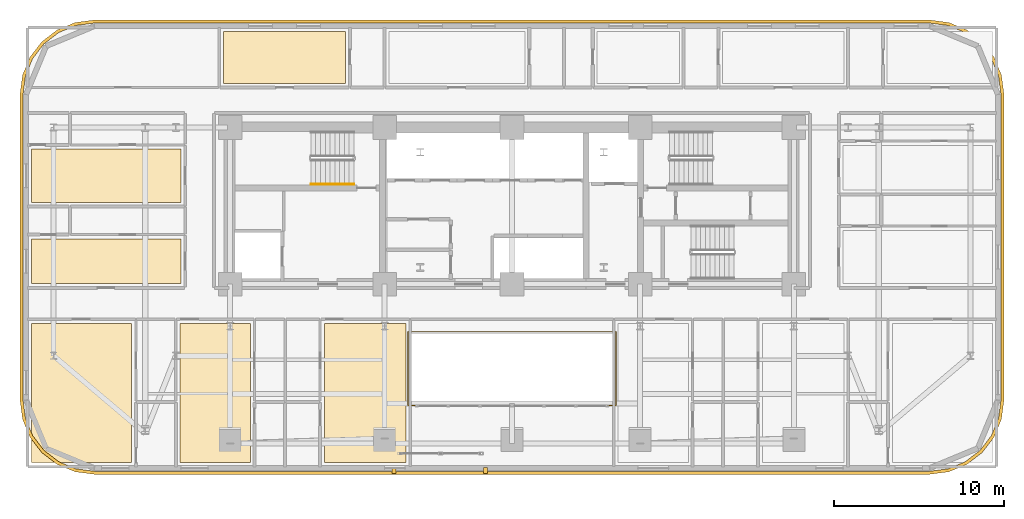
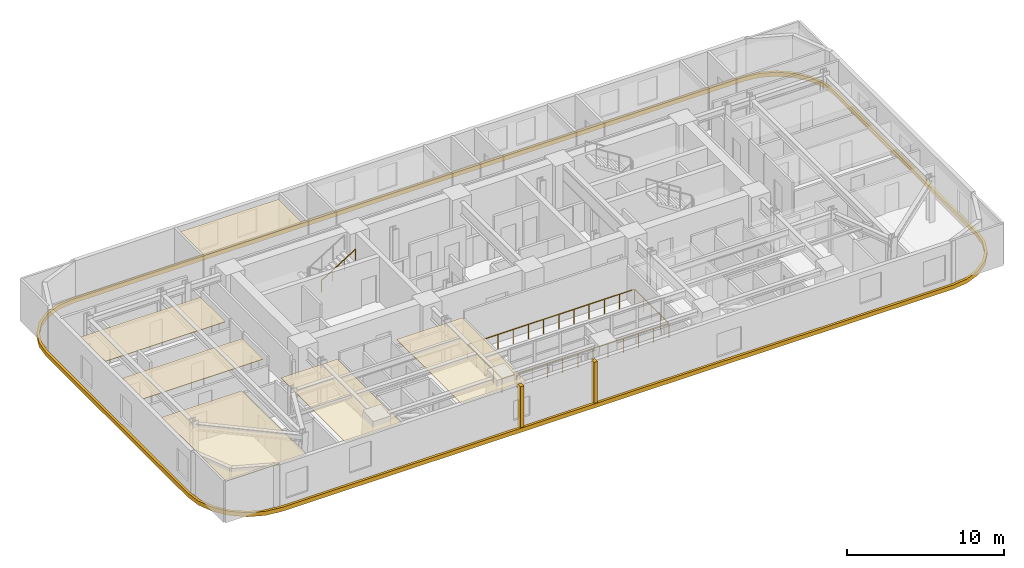
# One storey, part 14 of 16: 9 coverings, 2 railings.
"""IFC4 building model written with IfcOpenShell, lengths in metres."""

from ifc_helpers import new_model, si_unit, direction, frame, origin, origin_2d, place, context, subcontext, project, spatial, polyline, rectangle, outline, extrude, material, layer, layer_set, type_object, element, save


model = new_model("IFC4")

# Units and contexts
model_context = context("Model", 3, precision=1e-05, world=origin(), true_north=direction((0.0, 1.0)))
body_context = subcontext(model_context, "Body", "Model", "MODEL_VIEW")
ifc_project = project(units=[si_unit("LENGTHUNIT", "METRE"), si_unit("AREAUNIT", "SQUARE_METRE"), si_unit("VOLUMEUNIT", "CUBIC_METRE"), si_unit("PLANEANGLEUNIT", "RADIAN"), si_unit("MASSUNIT", "GRAM", prefix="KILO")], contexts=[model_context])

# Site, building, storey
site_placement = place(None, origin())
site = spatial("IfcSite", under=ifc_project, at=site_placement, CompositionType="ELEMENT")
building_placement = place(site_placement, origin())
building = spatial("IfcBuilding", under=site, at=building_placement, Name="Zarnavel Station Tower", CompositionType="ELEMENT")
storey_placement = place(building_placement, frame((0.0, 0.0, 82.800048828125)))
storey = spatial("IfcBuildingStorey", under=building, at=storey_placement, Name="L22", CompositionType="ELEMENT", Elevation=82.800048828125)

# Coverings
ifc_material_1 = material(Name="Perforated Gypsum and Mineral-Wool Acoustic Ceiling", Category="concrete")
ifc_layer = layer(ifc_material_1, 0.0400390625)
ifc_layer_set = layer_set([ifc_layer], Name="COV_CEIL_ACOUSTIC")
covering_type_1 = type_object("IfcCoveringType", Name="COV_CEIL_ACOUSTIC", PredefinedType="CEILING", material=ifc_layer_set)
covering_1_placement = place(storey_placement, frame((0.0, 0.0, 2.919921875)))
element("IfcCovering", 1, at=covering_1_placement, inside=storey, type_object=covering_type_1, Name="L22 FNW1R Acoustic Ceiling", PredefinedType="CEILING", context=body_context, shape_type="SweptSolid", body=[
    extrude(outline(polyline([(0.510009765625, 27.85009765625), (9.300048828125, 27.85009765625), (9.300048828125, 30.490966796875), (0.510009765625, 30.490966796875), (0.510009765625, 27.85009765625)])), origin(), (0.0, 0.0, 1.0), 0.0400390625),
])
covering_2_placement = place(storey_placement, frame((0.0, 0.0, 2.919921875)))
element("IfcCovering", 2, at=covering_2_placement, inside=storey, type_object=covering_type_1, Name="L22 FNW2R Acoustic Ceiling", PredefinedType="CEILING", context=body_context, shape_type="SweptSolid", body=[
    extrude(outline(polyline([(0.510009765625, 32.64111328125), (9.300048828125, 32.64111328125), (9.300048828125, 35.777099609375), (0.510009765625, 35.777099609375), (0.510009765625, 32.64111328125)])), origin(), (0.0, 0.0, 1.0), 0.0400390625),
])
covering_3_placement = place(storey_placement, frame((0.0, 0.0, 2.919921875)))
element("IfcCovering", 3, at=covering_3_placement, inside=storey, type_object=covering_type_1, Name="L22 HN1R Acoustic Ceiling", PredefinedType="CEILING", context=body_context, shape_type="SweptSolid", body=[
    extrude(outline(polyline([(11.81005859375, 39.64990234375), (19.0, 39.64990234375), (19.0, 42.68994140625), (11.81005859375, 42.68994140625), (11.81005859375, 39.64990234375)])), origin(), (0.0, 0.0, 1.0), 0.0400390625),
])
covering_4_placement = place(storey_placement, frame((0.0, 0.0, 2.919921875)))
element("IfcCovering", 4, at=covering_4_placement, inside=storey, type_object=covering_type_1, Name="L22 HW1R Acoustic Ceiling", PredefinedType="CEILING", context=body_context, shape_type="SweptSolid", body=[
    extrude(outline(polyline([(0.510009765625, 17.31005859375), (6.39990234375, 17.31005859375), (6.39990234375, 25.5), (0.510009765625, 25.5), (0.510009765625, 17.31005859375)])), origin(), (0.0, 0.0, 1.0), 0.0400390625),
])
covering_5_placement = place(storey_placement, frame((0.0, 0.0, 2.919921875)))
element("IfcCovering", 5, at=covering_5_placement, inside=storey, type_object=covering_type_1, Name="L22 HW2R Acoustic Ceiling", PredefinedType="CEILING", context=body_context, shape_type="SweptSolid", body=[
    extrude(outline(polyline([(9.25, 17.31005859375), (13.386962890625, 17.31005859375), (13.386962890625, 25.5), (9.25, 25.5), (9.25, 17.31005859375)])), origin(), (0.0, 0.0, 1.0), 0.0400390625),
])
covering_6_placement = place(storey_placement, frame((0.0, 0.0, 2.919921875)))
element("IfcCovering", 6, at=covering_6_placement, inside=storey, type_object=covering_type_1, Name="L22 HW3R Acoustic Ceiling", PredefinedType="CEILING", context=body_context, shape_type="SweptSolid", body=[
    extrude(outline(polyline([(17.7509765625, 17.31005859375), (22.550048828125, 17.31005859375), (22.550048828125, 25.5), (17.7509765625, 25.5), (17.7509765625, 17.31005859375)])), origin(), (0.0, 0.0, 1.0), 0.0400390625),
])
ifc_material_2 = material(Name="Precast concrete C45/55 (Pale Travertine Slab Band)", Category="masonry")
covering_type_2 = type_object("IfcCoveringType", Name="COV_TRAVERTINE_BAND", PredefinedType="CLADDING", material=ifc_material_2)
covering_7_placement = place(storey_placement, frame((0.0, 0.0, -0.260009765625)))
element("IfcCovering", 7, at=covering_7_placement, inside=storey, type_object=covering_type_2, Name="L22 Pale Travertine Slab-Edge Band", PredefinedType="CLADDING", context=body_context, shape_type="SweptSolid", body=[
    extrude(outline(polyline([(53.39990234375, 16.6201171875), (54.53369140625, 16.769287109375), (55.590087890625, 17.206787109375), (56.4970703125, 17.90283203125), (57.193115234375, 18.81005859375), (57.630859375, 19.866455078125), (57.780029296875, 21.0), (57.780029296875, 39.0), (57.630859375, 40.133544921875), (57.193115234375, 41.18994140625), (56.4970703125, 42.09716796875), (55.590087890625, 42.793212890625), (54.53369140625, 43.230712890625), (53.39990234375, 43.3798828125), (4.199951171875, 43.3798828125), (3.06640625, 43.230712890625), (2.010009765625, 42.793212890625), (1.102783203125, 42.09716796875), (0.40673828125, 41.18994140625), (-0.03076171875, 40.133544921875), (-0.179931640625, 39.0), (-0.179931640625, 21.0), (-0.03076171875, 19.866455078125), (0.40673828125, 18.81005859375), (1.102783203125, 17.90283203125), (2.010009765625, 17.206787109375), (3.06640625, 16.769287109375), (4.199951171875, 16.6201171875), (53.39990234375, 16.6201171875)]), holes=[polyline([(53.39990234375, 16.800048828125), (54.487060546875, 16.943115234375), (55.5, 17.36279296875), (56.369873046875, 18.0302734375), (57.037353515625, 18.89990234375), (57.456787109375, 19.9130859375), (57.60009765625, 21.0), (57.60009765625, 39.0), (57.456787109375, 40.0869140625), (57.037353515625, 41.10009765625), (56.369873046875, 41.9697265625), (55.5, 42.63720703125), (54.487060546875, 43.056884765625), (53.39990234375, 43.199951171875), (4.199951171875, 43.199951171875), (3.113037109375, 43.056884765625), (2.10009765625, 42.63720703125), (1.230224609375, 41.9697265625), (0.562744140625, 41.10009765625), (0.14306640625, 40.0869140625), (0.0, 39.0), (0.0, 21.0), (0.14306640625, 19.9130859375), (0.562744140625, 18.89990234375), (1.230224609375, 18.0302734375), (2.10009765625, 17.36279296875), (3.113037109375, 16.943115234375), (4.199951171875, 16.800048828125), (53.39990234375, 16.800048828125)])]), origin(), (0.0, 0.0, 1.0), 0.320068359375),
])
for number, where, z_axis, x_axis, name in (
    (8, (21.85009765625, 16.85009765625, 0.0), (0.0, 0.0, 1.0), (1.0, 0.0, 0.0), "L22 Travertine Portal Loggia Vertical Jog West"),
    (9, (27.25, 16.85009765625, 0.0), (0.0, 0.0, 1.0), (1.0, 0.0, 0.0), "L22 Travertine Portal Loggia Vertical Jog East"),
):
    element("IfcCovering", number, at=place(storey_placement, frame(where, z_axis=z_axis, x_axis=x_axis)), inside=storey, type_object=covering_type_2, Name=name, PredefinedType="CLADDING", context=body_context, shape_type="SweptSolid", body=[
        extrude(rectangle(XDim=0.239990234375, YDim=0.360107421875, at=origin_2d()), origin(), (0.0, 0.0, 1.0), 3.239990234375),
    ])

# Railings
ifc_material_3 = material(Name="Painted Steel S355J2 Balustrade", Category="steel")
railing_type_1 = type_object("IfcRailingType", Name="GR_INT_1150", PredefinedType="GUARDRAIL", material=ifc_material_3)
railing_1_placement = place(storey_placement, frame((22.679931640625, 20.679931640625, 0.0)))
element("IfcRailing", 10, at=railing_1_placement, inside=storey, type_object=railing_type_1, Name="L22 Atrium Void Guardrail", PredefinedType="GUARDRAIL", context=body_context, shape_type="SweptSolid", body=[
    extrude(rectangle(XDim=0.048095703125, YDim=0.048095703125, at=origin_2d()), frame((0.001953125, 0.0, 1.1259765625), z_axis=(1.0, 0.0, 0.0), x_axis=(0.0, 1.0, 0.0)), (0.0, 0.0, 1.0), 12.236083984375),
    extrude(rectangle(XDim=0.048095703125, YDim=0.048095703125, at=origin_2d()), frame((12.239990234375, 0.001953125, 1.1259765625), z_axis=(0.0, 1.0, 0.0), x_axis=(-1.0, 0.0, 0.0)), (0.0, 0.0, 1.0), 4.336181640625),
    extrude(rectangle(XDim=0.048095703125, YDim=0.048095703125, at=origin_2d()), frame((12.238037109375, 4.340087890625, 1.1259765625), z_axis=(-1.0, 0.0, 0.0), x_axis=(0.0, -1.0, 0.0)), (0.0, 0.0, 1.0), 12.236083984375),
    extrude(rectangle(XDim=0.048095703125, YDim=0.048095703125, at=origin_2d()), frame((0.0, 4.338134765625, 1.1259765625), z_axis=(0.0, -1.0, 0.0), x_axis=(1.0, 0.0, 0.0)), (0.0, 0.0, 1.0), 4.336181640625),
    extrude(rectangle(XDim=0.0419921875, YDim=0.0419921875, at=origin_2d()), origin(), (0.0, 0.0, 1.0), 1.101806640625),
    extrude(rectangle(XDim=0.0419921875, YDim=0.0419921875, at=origin_2d()), frame((1.11279296875, 0.0, 0.0)), (0.0, 0.0, 1.0), 1.101806640625),
    extrude(rectangle(XDim=0.0419921875, YDim=0.0419921875, at=origin_2d()), frame((2.225341796875, 0.0, 0.0)), (0.0, 0.0, 1.0), 1.101806640625),
    extrude(rectangle(XDim=0.0419921875, YDim=0.0419921875, at=origin_2d()), frame((3.338134765625, 0.0, 0.0)), (0.0, 0.0, 1.0), 1.101806640625),
    extrude(rectangle(XDim=0.0419921875, YDim=0.0419921875, at=origin_2d()), frame((4.450927734375, 0.0, 0.0)), (0.0, 0.0, 1.0), 1.101806640625),
    extrude(rectangle(XDim=0.0419921875, YDim=0.0419921875, at=origin_2d()), frame((5.563720703125, 0.0, 0.0)), (0.0, 0.0, 1.0), 1.101806640625),
    extrude(rectangle(XDim=0.0419921875, YDim=0.0419921875, at=origin_2d()), frame((6.67626953125, 0.0, 0.0)), (0.0, 0.0, 1.0), 1.101806640625),
    extrude(rectangle(XDim=0.0419921875, YDim=0.0419921875, at=origin_2d()), frame((7.7890625, 0.0, 0.0)), (0.0, 0.0, 1.0), 1.101806640625),
    extrude(rectangle(XDim=0.0419921875, YDim=0.0419921875, at=origin_2d()), frame((8.90185546875, 0.0, 0.0)), (0.0, 0.0, 1.0), 1.101806640625),
    extrude(rectangle(XDim=0.0419921875, YDim=0.0419921875, at=origin_2d()), frame((10.0146484375, 0.0, 0.0)), (0.0, 0.0, 1.0), 1.101806640625),
    extrude(rectangle(XDim=0.0419921875, YDim=0.0419921875, at=origin_2d()), frame((11.127197265625, 0.0, 0.0)), (0.0, 0.0, 1.0), 1.101806640625),
    extrude(rectangle(XDim=0.0419921875, YDim=0.0419921875, at=origin_2d()), frame((12.239990234375, 0.0, 0.0)), (0.0, 0.0, 1.0), 1.101806640625),
    extrude(rectangle(XDim=0.0419921875, YDim=0.0419921875, at=origin_2d()), frame((12.239990234375, 1.0849609375, 0.0)), (0.0, 0.0, 1.0), 1.101806640625),
    extrude(rectangle(XDim=0.0419921875, YDim=0.0419921875, at=origin_2d()), frame((12.239990234375, 2.169921875, 0.0)), (0.0, 0.0, 1.0), 1.101806640625),
    extrude(rectangle(XDim=0.0419921875, YDim=0.0419921875, at=origin_2d()), frame((12.239990234375, 3.255126953125, 0.0)), (0.0, 0.0, 1.0), 1.101806640625),
    extrude(rectangle(XDim=0.0419921875, YDim=0.0419921875, at=origin_2d()), frame((12.239990234375, 4.340087890625, 0.0)), (0.0, 0.0, 1.0), 1.101806640625),
    extrude(rectangle(XDim=0.0419921875, YDim=0.0419921875, at=origin_2d()), frame((11.127197265625, 4.340087890625, 0.0)), (0.0, 0.0, 1.0), 1.101806640625),
    extrude(rectangle(XDim=0.0419921875, YDim=0.0419921875, at=origin_2d()), frame((10.0146484375, 4.340087890625, 0.0)), (0.0, 0.0, 1.0), 1.101806640625),
    extrude(rectangle(XDim=0.0419921875, YDim=0.0419921875, at=origin_2d()), frame((8.90185546875, 4.340087890625, 0.0)), (0.0, 0.0, 1.0), 1.101806640625),
    extrude(rectangle(XDim=0.0419921875, YDim=0.0419921875, at=origin_2d()), frame((7.7890625, 4.340087890625, 0.0)), (0.0, 0.0, 1.0), 1.101806640625),
    extrude(rectangle(XDim=0.0419921875, YDim=0.0419921875, at=origin_2d()), frame((6.67626953125, 4.340087890625, 0.0)), (0.0, 0.0, 1.0), 1.101806640625),
    extrude(rectangle(XDim=0.0419921875, YDim=0.0419921875, at=origin_2d()), frame((5.563720703125, 4.340087890625, 0.0)), (0.0, 0.0, 1.0), 1.101806640625),
    extrude(rectangle(XDim=0.0419921875, YDim=0.0419921875, at=origin_2d()), frame((4.450927734375, 4.340087890625, 0.0)), (0.0, 0.0, 1.0), 1.101806640625),
    extrude(rectangle(XDim=0.0419921875, YDim=0.0419921875, at=origin_2d()), frame((3.338134765625, 4.340087890625, 0.0)), (0.0, 0.0, 1.0), 1.101806640625),
    extrude(rectangle(XDim=0.0419921875, YDim=0.0419921875, at=origin_2d()), frame((2.225341796875, 4.340087890625, 0.0)), (0.0, 0.0, 1.0), 1.101806640625),
    extrude(rectangle(XDim=0.0419921875, YDim=0.0419921875, at=origin_2d()), frame((1.11279296875, 4.340087890625, 0.0)), (0.0, 0.0, 1.0), 1.101806640625),
    extrude(rectangle(XDim=0.0419921875, YDim=0.0419921875, at=origin_2d()), frame((0.0, 4.340087890625, 0.0)), (0.0, 0.0, 1.0), 1.101806640625),
    extrude(rectangle(XDim=0.0419921875, YDim=0.0419921875, at=origin_2d()), frame((0.0, 3.255126953125, 0.0)), (0.0, 0.0, 1.0), 1.101806640625),
    extrude(rectangle(XDim=0.0419921875, YDim=0.0419921875, at=origin_2d()), frame((0.0, 2.169921875, 0.0)), (0.0, 0.0, 1.0), 1.101806640625),
    extrude(rectangle(XDim=0.0419921875, YDim=0.0419921875, at=origin_2d()), frame((0.0, 1.0849609375, 0.0)), (0.0, 0.0, 1.0), 1.101806640625),
])
ifc_material_4 = material(Name="Brushed Stainless Steel S355J2 Handrail", Category="steel")
railing_type_2 = type_object("IfcRailingType", Name="HR_STAIR_900", PredefinedType="HANDRAIL", material=ifc_material_4)
railing_2_placement = place(storey_placement, frame((16.9599609375, 33.7099609375, 1.925048828125)))
element("IfcRailing", 11, at=railing_2_placement, inside=storey, type_object=railing_type_2, Name="L22 ST1 stair handrail 2", PredefinedType="HANDRAIL", context=body_context, shape_type="SweptSolid", body=[
    extrude(rectangle(XDim=0.048095703125, YDim=0.048095703125, at=origin_2d()), frame((0.001708984375, 0.0, 0.876953125), z_axis=(0.848007534815, 0.0, 0.529984170421), x_axis=(0.0, 1.0, 0.0)), (0.0, 0.0, 1.0), 2.9677734375),
    extrude(rectangle(XDim=0.0419921875, YDim=0.0419921875, at=origin_2d()), origin(), (0.0, 0.0, 1.0), 0.851806640625),
    extrude(rectangle(XDim=0.0419921875, YDim=0.0419921875, at=origin_2d()), frame((0.840087890625, 0.0, 0.52490234375)), (0.0, 0.0, 1.0), 0.851806640625),
    extrude(rectangle(XDim=0.0419921875, YDim=0.0419921875, at=origin_2d()), frame((1.679931640625, 0.0, 1.050048828125)), (0.0, 0.0, 1.0), 0.851806640625),
    extrude(rectangle(XDim=0.0419921875, YDim=0.0419921875, at=origin_2d()), frame((2.52001953125, 0.0, 1.574951171875)), (0.0, 0.0, 1.0), 0.851806640625),
])

save(model, "model.ifc")
